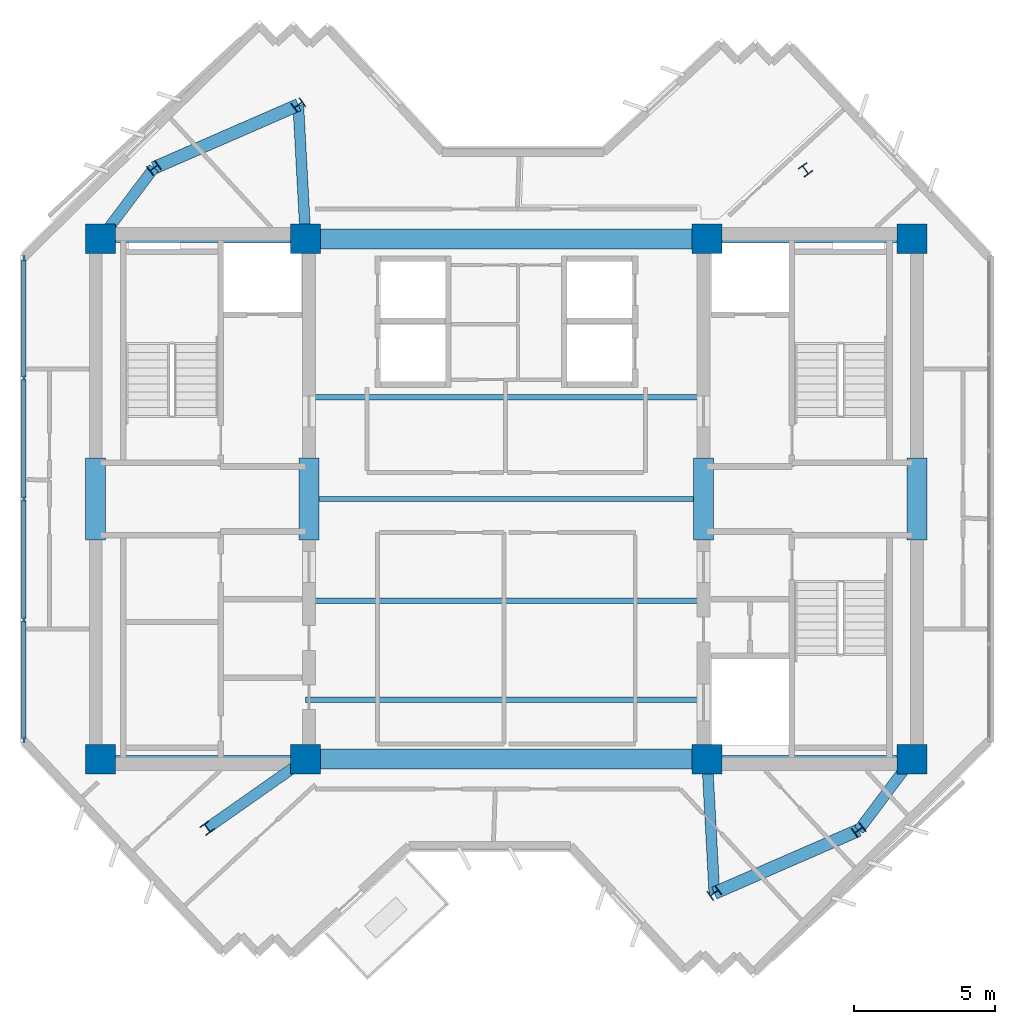
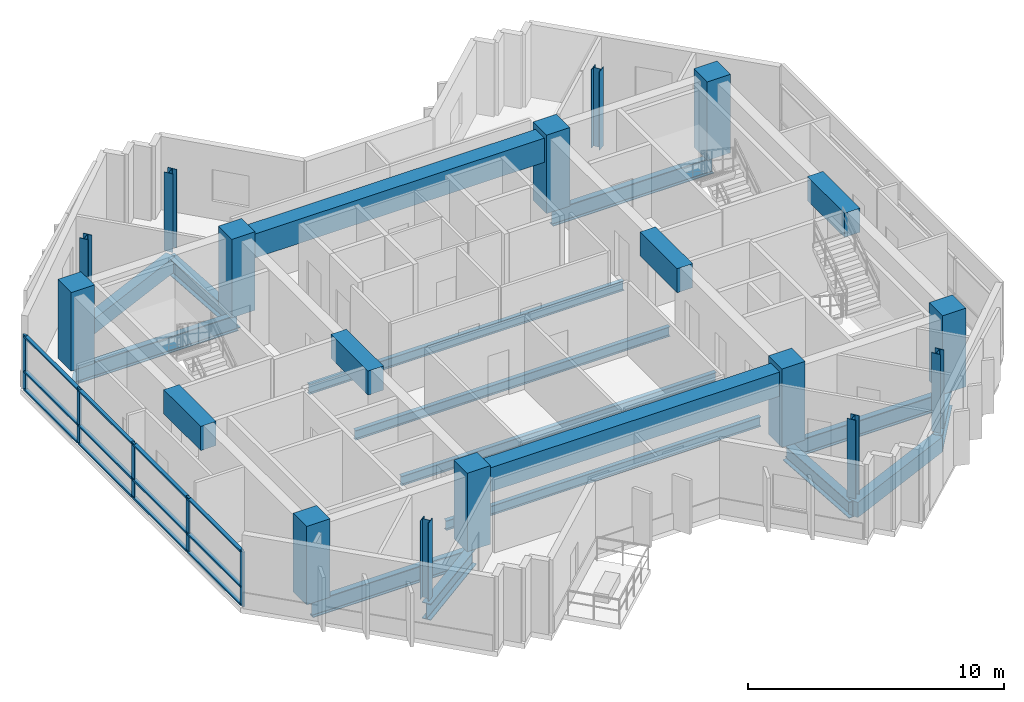
# One storey, part 1 of 9: 21 beams, 17 members, 14 columns, 1 element without a shape of its own.
"""IFC4 building model written with IfcOpenShell, lengths in metres."""

from ifc_helpers import new_model, si_unit, direction, frame, origin, origin_2d, place, context, subcontext, project, spatial, rectangle, i_section, extrude, source, transform, mapped, material, layer, layer_set, material_profile, profile_set, type_object, element, aggregate, save


model = new_model("IFC4")

# Units and contexts
model_context = context("Model", 3, precision=1e-05, world=origin(), true_north=direction((0.0, 1.0)))
body_context = subcontext(model_context, "Body", "Model", "MODEL_VIEW")
ifc_project = project(units=[si_unit("LENGTHUNIT", "METRE"), si_unit("AREAUNIT", "SQUARE_METRE"), si_unit("VOLUMEUNIT", "CUBIC_METRE"), si_unit("PLANEANGLEUNIT", "RADIAN"), si_unit("MASSUNIT", "GRAM", prefix="KILO")], contexts=[model_context])

# Site, building, storey
site_placement = place(None, origin())
site = spatial("IfcSite", under=ifc_project, at=site_placement, CompositionType="ELEMENT")
building_placement = place(site_placement, origin())
building = spatial("IfcBuilding", under=site, at=building_placement, Name="Zahravan Cultural Tower", CompositionType="ELEMENT")
storey_placement = place(building_placement, frame((0.0, 0.0, 299.10009765625)))
storey = spatial("IfcBuildingStorey", under=building, at=storey_placement, Name="L72", CompositionType="ELEMENT", Elevation=299.10009765625)

# Columns
ifc_material_1 = material(Name="Concrete C50/60", Category="concrete")
ifc_material_profile_1 = material_profile(ifc_material_1, rectangle(XDim=1.050048828125, YDim=1.050048828125, at=origin_2d()), Name="RC1050X1050")
ifc_profile_set_1 = profile_set([ifc_material_profile_1], Name="Concrete C50/60")
column_type_1 = type_object("IfcColumnType", Name="COL-RC1050", PredefinedType="COLUMN", material=ifc_profile_set_1)
shared_shape_1 = source(origin(), body_context, "Body", "SweptSolid", [
    extrude(rectangle(XDim=1.050048828125, YDim=1.050048828125, at=origin_2d()), origin(), (0.0, 0.0, 1.0), 3.75),
])
for number, where, z_axis, x_axis, name in (
    (1, (21.64990234375, 17.800048828125, 0.0), (0.0, 0.0, 1.0), (1.0, 0.0, 0.0), "L72 Column CC-W1"),
    (2, (28.89990234375, 17.800048828125, 0.0), (0.0, 0.0, 1.0), (1.0, 0.0, 0.0), "L72 Column CC-W2"),
    (3, (21.64990234375, 36.199951171875, 0.0), (0.0, 0.0, 1.0), (1.0, 0.0, 0.0), "L72 Column CC-W3"),
    (4, (28.89990234375, 36.199951171875, 0.0), (0.0, 0.0, 1.0), (1.0, 0.0, 0.0), "L72 Column CC-W4"),
    (5, (43.10009765625, 17.800048828125, 0.0), (0.0, 0.0, 1.0), (1.0, 0.0, 0.0), "L72 Column CC-E1"),
    (6, (50.35009765625, 17.800048828125, 0.0), (0.0, 0.0, 1.0), (1.0, 0.0, 0.0), "L72 Column CC-E2"),
    (7, (43.10009765625, 36.199951171875, 0.0), (0.0, 0.0, 1.0), (1.0, 0.0, 0.0), "L72 Column CC-E3"),
    (8, (50.35009765625, 36.199951171875, 0.0), (0.0, 0.0, 1.0), (1.0, 0.0, 0.0), "L72 Column CC-E4"),
):
    element("IfcColumn", number, at=place(storey_placement, frame(where, z_axis=z_axis, x_axis=x_axis)), inside=storey, type_object=column_type_1, Name=name, PredefinedType="COLUMN", context=body_context, shape_type="MappedRepresentation", body=[
        mapped(shared_shape_1, transform((0.0, 0.0, 0.0), x_axis=(1.0, 0.0, 0.0), y_axis=(0.0, 1.0, 0.0), z_axis=(0.0, 0.0, 1.0), scale=1.0)),
    ])
ifc_material_2 = material(Name="Steel ASTM A992 Grade 50", Category="steel")
ifc_material_profile_2 = material_profile(ifc_material_2, i_section(OverallWidth=0.3740234375, OverallDepth=0.3720703125, WebThickness=0.016357421875, FlangeThickness=0.026123046875, FilletRadius=0.01806640625, at=origin_2d()), Name="W14X132")
ifc_profile_set_2 = profile_set([ifc_material_profile_2], Name="Steel ASTM A992 Grade 50")
column_type_2 = type_object("IfcColumnType", Name="COL-W14X132", PredefinedType="COLUMN", material=ifc_profile_set_2)
shared_shape_2 = source(origin(), body_context, "Body", "SweptSolid", [
    extrude(i_section(OverallWidth=0.3740234375, OverallDepth=0.3720703125, WebThickness=0.016357421875, FlangeThickness=0.026123046875, FilletRadius=0.01806640625, at=origin_2d()), origin(), (0.0, 0.0, 1.0), 3.75),
])
for number, where, z_axis, x_axis, name in (
    (9, (46.577880859375, 38.640625, 0.0), (0.0, 0.0, 1.0), (0.809016994375, 0.587785252292, 0.0), "L72 Column Z3C-E2"),
    (10, (28.642578125, 40.937255859375, 0.0), (0.0, 0.0, 1.0), (-0.587785252292, 0.809016994375, 0.0), "L72 Column Z3C-N1"),
    (11, (23.536376953125, 38.710693359375, 0.0), (0.0, 0.0, 1.0), (-0.587785252292, 0.809016994375, 0.0), "L72 Column Z3C-N2"),
    (12, (25.422119140625, 15.359375, 0.0), (0.0, 0.0, 1.0), (0.809016994375, 0.587785252292, 0.0), "L72 Column Z3C-W2"),
    (13, (43.357421875, 13.062744140625, 0.0), (0.0, 0.0, 1.0), (-0.587785252292, 0.809016994375, 0.0), "L72 Column Z3C-S1"),
    (14, (48.463623046875, 15.289306640625, 0.0), (0.0, 0.0, 1.0), (-0.587785252292, 0.809016994375, 0.0), "L72 Column Z3C-S2"),
):
    element("IfcColumn", number, at=place(storey_placement, frame(where, z_axis=z_axis, x_axis=x_axis)), inside=storey, type_object=column_type_2, Name=name, PredefinedType="COLUMN", context=body_context, shape_type="MappedRepresentation", body=[
        mapped(shared_shape_2, transform((0.0, 0.0, 0.0), x_axis=(1.0, 0.0, 0.0), y_axis=(0.0, 1.0, 0.0), z_axis=(0.0, 0.0, 1.0), scale=1.0)),
    ])

# Beams
ifc_material_profile_3 = material_profile(ifc_material_1, rectangle(XDim=0.699951171875, YDim=1.14990234375, at=origin_2d()), Name="RC700X1150")
ifc_profile_set_3 = profile_set([ifc_material_profile_3], Name="Concrete C50/60")
beam_type_1 = type_object("IfcBeamType", Name="BM-LN-RC700X1150", PredefinedType="LINTEL", material=ifc_profile_set_3)
shared_shape_3 = source(origin(), body_context, "Body", "SweptSolid", [
    extrude(rectangle(XDim=0.699951171875, YDim=1.14990234375, at=origin_2d()), origin(), (0.0, 0.0, 1.0), 14.2001953125),
])
for number, where, z_axis, x_axis, name in (
    (15, (28.89990234375, 17.800048828125, 2.9248046875), (1.0, 0.0, 0.0), (0.0, 1.0, 0.0), "L72 Beam LN-L72-S"),
    (16, (28.89990234375, 36.199951171875, 2.9248046875), (1.0, 0.0, 0.0), (0.0, 1.0, 0.0), "L72 Beam LN-L72-N"),
):
    element("IfcBeam", number, at=place(storey_placement, frame(where, z_axis=z_axis, x_axis=x_axis)), inside=storey, type_object=beam_type_1, Name=name, PredefinedType="LINTEL", context=body_context, shape_type="MappedRepresentation", body=[
        mapped(shared_shape_3, transform((0.0, 0.0, 0.0), x_axis=(1.0, 0.0, 0.0), y_axis=(0.0, 1.0, 0.0), z_axis=(0.0, 0.0, 1.0), scale=1.0)),
    ])
shared_shape_4 = source(origin(), body_context, "Body", "SweptSolid", [
    extrude(rectangle(XDim=0.699951171875, YDim=1.14990234375, at=origin_2d()), origin(), (0.0, 0.0, 1.0), 2.89990234375),
])
for number, where, z_axis, x_axis, name in (
    (17, (21.47509765625, 25.550048828125, 2.9248046875), (0.0, 1.0, 0.0), (-1.0, 0.0, 0.0), "L72 Beam LN-L72-PWW"),
    (18, (29.02490234375, 25.550048828125, 2.9248046875), (0.0, 1.0, 0.0), (-1.0, 0.0, 0.0), "L72 Beam LN-L72-PWE"),
    (19, (42.97509765625, 25.550048828125, 2.9248046875), (0.0, 1.0, 0.0), (-1.0, 0.0, 0.0), "L72 Beam LN-L72-PEW"),
    (20, (50.52490234375, 25.550048828125, 2.9248046875), (0.0, 1.0, 0.0), (-1.0, 0.0, 0.0), "L72 Beam LN-L72-PEE"),
):
    element("IfcBeam", number, at=place(storey_placement, frame(where, z_axis=z_axis, x_axis=x_axis)), inside=storey, type_object=beam_type_1, Name=name, PredefinedType="LINTEL", context=body_context, shape_type="MappedRepresentation", body=[
        mapped(shared_shape_4, transform((0.0, 0.0, 0.0), x_axis=(1.0, 0.0, 0.0), y_axis=(0.0, 1.0, 0.0), z_axis=(0.0, 0.0, 1.0), scale=1.0)),
    ])
ifc_material_profile_4 = material_profile(ifc_material_2, i_section(OverallWidth=0.26611328125, OverallDepth=0.780029296875, WebThickness=0.0166015625, FlangeThickness=0.030029296875, FilletRadius=0.01904296875, at=origin_2d()), Name="W30X148")
ifc_profile_set_4 = profile_set([ifc_material_profile_4], Name="Steel ASTM A992 Grade 50")
beam_type_2 = type_object("IfcBeamType", Name="BM-G-W30X148", PredefinedType="BEAM", material=ifc_profile_set_4)
shared_shape_5 = source(origin(), body_context, "Body", "SweptSolid", [
    extrude(i_section(OverallWidth=0.26611328125, OverallDepth=0.780029296875, WebThickness=0.0166015625, FlangeThickness=0.030029296875, FilletRadius=0.01904296875, at=origin_2d()), origin(), (0.0, 0.0, 1.0), 7.25),
])
for number, where, z_axis, x_axis, name in (
    (21, (21.64990234375, 17.800048828125, -0.64013671875), (1.0, 0.0, 0.0), (0.0, 1.0, 0.0), "L72 Beam BG-L72-01"),
    (22, (21.64990234375, 36.199951171875, -0.64013671875), (1.0, 0.0, 0.0), (0.0, 1.0, 0.0), "L72 Beam BG-L72-02"),
    (23, (43.10009765625, 17.800048828125, -0.64013671875), (1.0, 0.0, 0.0), (0.0, 1.0, 0.0), "L72 Beam BG-L72-04"),
    (24, (43.10009765625, 36.199951171875, -0.64013671875), (1.0, 0.0, 0.0), (0.0, 1.0, 0.0), "L72 Beam BG-L72-05"),
):
    element("IfcBeam", number, at=place(storey_placement, frame(where, z_axis=z_axis, x_axis=x_axis)), inside=storey, type_object=beam_type_2, Name=name, PredefinedType="BEAM", context=body_context, shape_type="MappedRepresentation", body=[
        mapped(shared_shape_5, transform((0.0, 0.0, 0.0), x_axis=(1.0, 0.0, 0.0), y_axis=(0.0, 1.0, 0.0), z_axis=(0.0, 0.0, 1.0), scale=1.0)),
    ])
ifc_material_3 = material(Name="Concrete C45/55", Category="concrete")
ifc_material_profile_5 = material_profile(ifc_material_3, rectangle(XDim=0.449951171875, YDim=0.719970703125, at=origin_2d()), Name="RC450X720")
ifc_profile_set_5 = profile_set([ifc_material_profile_5], Name="Concrete C45/55")
beam_type_3 = type_object("IfcBeamType", Name="BM-SP-RC450X720", PredefinedType="SPANDREL", material=ifc_profile_set_5)
shared_shape_6 = source(origin(), body_context, "Body", "SweptSolid", [
    extrude(rectangle(XDim=0.449951171875, YDim=0.719970703125, at=origin_2d()), origin(), (0.0, 0.0, 1.0), 5.570556640625),
])
for number, where, z_axis, x_axis, name in (
    (25, (43.357421875, 13.062744140625, -0.610107421875), (0.9166445026, 0.399703459896, 0.0), (-0.399703459896, 0.9166445026, 0.0), "L72 Beam SP-L72-12"),
    (26, (28.642578125, 40.937255859375, -0.610107421875), (-0.9166445026, -0.399703459896, 0.0), (0.399703459896, -0.9166445026, 0.0), "L72 Beam SP-L72-13"),
):
    element("IfcBeam", number, at=place(storey_placement, frame(where, z_axis=z_axis, x_axis=x_axis)), inside=storey, type_object=beam_type_3, Name=name, PredefinedType="SPANDREL", context=body_context, shape_type="MappedRepresentation", body=[
        mapped(shared_shape_6, transform((0.0, 0.0, 0.0), x_axis=(1.0, 0.0, 0.0), y_axis=(0.0, 1.0, 0.0), z_axis=(0.0, 0.0, 1.0), scale=1.0)),
    ])
ifc_material_profile_6 = material_profile(ifc_material_2, i_section(OverallWidth=0.18994140625, OverallDepth=0.45703125, WebThickness=0.009033203125, FlangeThickness=0.014404296875, FilletRadius=0.012939453125, at=origin_2d()), Name="W18X50")
ifc_profile_set_6 = profile_set([ifc_material_profile_6], Name="Steel ASTM A992 Grade 50")
beam_type_4 = type_object("IfcBeamType", Name="BM-J-W18X50", PredefinedType="JOIST", material=ifc_profile_set_6)
shared_shape_7 = source(origin(), body_context, "Body", "SweptSolid", [
    extrude(i_section(OverallWidth=0.18994140625, OverallDepth=0.45703125, WebThickness=0.009033203125, FlangeThickness=0.014404296875, FilletRadius=0.012939453125, at=origin_2d()), origin(), (0.0, 0.0, 1.0), 14.2001953125),
])
for number, where, z_axis, x_axis, name in (
    (27, (28.89990234375, 19.89990234375, -0.478515625), (1.0, 0.0, 0.0), (0.0, 1.0, 0.0), "L72 Beam BJ-L72-14"),
    (28, (28.89990234375, 23.39990234375, -0.478515625), (1.0, 0.0, 0.0), (0.0, 1.0, 0.0), "L72 Beam BJ-L72-15"),
    (29, (28.89990234375, 27.0, -0.478515625), (1.0, 0.0, 0.0), (0.0, 1.0, 0.0), "L72 Beam BJ-L72-16"),
    (30, (28.89990234375, 30.60009765625, -0.478515625), (1.0, 0.0, 0.0), (0.0, 1.0, 0.0), "L72 Beam BJ-L72-17"),
):
    element("IfcBeam", number, at=place(storey_placement, frame(where, z_axis=z_axis, x_axis=x_axis)), inside=storey, type_object=beam_type_4, Name=name, PredefinedType="JOIST", context=body_context, shape_type="MappedRepresentation", body=[
        mapped(shared_shape_7, transform((0.0, 0.0, 0.0), x_axis=(1.0, 0.0, 0.0), y_axis=(0.0, 1.0, 0.0), z_axis=(0.0, 0.0, 1.0), scale=1.0)),
    ])
ifc_material_profile_7 = material_profile(ifc_material_2, i_section(OverallWidth=0.382080078125, OverallDepth=0.779052734375, WebThickness=0.01806640625, FlangeThickness=0.030029296875, FilletRadius=0.01904296875, at=origin_2d()), Name="W30X191")
ifc_profile_set_7 = profile_set([ifc_material_profile_7], Name="Steel ASTM A992 Grade 50")
beam_type_5 = type_object("IfcBeamType", Name="BM-G-W30X191", PredefinedType="BEAM", material=ifc_profile_set_7)
shared_shape_8 = source(origin(), body_context, "Body", "SweptSolid", [
    extrude(i_section(OverallWidth=0.382080078125, OverallDepth=0.779052734375, WebThickness=0.01806640625, FlangeThickness=0.030029296875, FilletRadius=0.01904296875, at=origin_2d()), origin(), (0.0, 0.0, 1.0), 4.248779296875),
])
beam_placement = place(storey_placement, frame((28.89990234375, 17.800048828125, -0.6396484375), z_axis=(-0.81854294596, -0.574445337365, 0.0), x_axis=(0.574445337365, -0.81854294596, 0.0)))
element("IfcBeam", 31, at=beam_placement, inside=storey, type_object=beam_type_5, Name="L72 Beam BG-L72-07", PredefinedType="BEAM", context=body_context, shape_type="MappedRepresentation", body=[
    mapped(shared_shape_8, transform((0.0, 0.0, 0.0), x_axis=(1.0, 0.0, 0.0), y_axis=(0.0, 1.0, 0.0), z_axis=(0.0, 0.0, 1.0), scale=1.0)),
])
shared_shape_9 = source(origin(), body_context, "Body", "SweptSolid", [
    extrude(i_section(OverallWidth=0.382080078125, OverallDepth=0.779052734375, WebThickness=0.01806640625, FlangeThickness=0.030029296875, FilletRadius=0.01904296875, at=origin_2d()), origin(), (0.0, 0.0, 1.0), 4.744384765625),
])
for number, where, z_axis, x_axis, name in (
    (32, (43.10009765625, 17.800048828125, -0.6396484375), (0.054238739845, -0.998527996152, 0.0), (0.998527996152, 0.054238739845, 0.0), "L72 Beam BG-L72-08"),
    (33, (28.89990234375, 36.199951171875, -0.6396484375), (-0.054238739845, 0.998527996152, 0.0), (-0.998527996152, -0.054238739845, 0.0), "L72 Beam BG-L72-10"),
):
    element("IfcBeam", number, at=place(storey_placement, frame(where, z_axis=z_axis, x_axis=x_axis)), inside=storey, type_object=beam_type_5, Name=name, PredefinedType="BEAM", context=body_context, shape_type="MappedRepresentation", body=[
        mapped(shared_shape_9, transform((0.0, 0.0, 0.0), x_axis=(1.0, 0.0, 0.0), y_axis=(0.0, 1.0, 0.0), z_axis=(0.0, 0.0, 1.0), scale=1.0)),
    ])
shared_shape_10 = source(origin(), body_context, "Body", "SweptSolid", [
    extrude(i_section(OverallWidth=0.382080078125, OverallDepth=0.779052734375, WebThickness=0.01806640625, FlangeThickness=0.030029296875, FilletRadius=0.01904296875, at=origin_2d()), origin(), (0.0, 0.0, 1.0), 3.140380859375),
])
for number, where, z_axis, x_axis, name in (
    (34, (50.35009765625, 17.800048828125, -0.6396484375), (-0.600696322208, -0.799477284534, 0.0), (0.799477284534, -0.600696322208, 0.0), "L72 Beam BG-L72-09"),
    (35, (21.64990234375, 36.199951171875, -0.6396484375), (0.600696322208, 0.799477284534, 0.0), (-0.799477284534, 0.600696322208, 0.0), "L72 Beam BG-L72-11"),
):
    element("IfcBeam", number, at=place(storey_placement, frame(where, z_axis=z_axis, x_axis=x_axis)), inside=storey, type_object=beam_type_5, Name=name, PredefinedType="BEAM", context=body_context, shape_type="MappedRepresentation", body=[
        mapped(shared_shape_10, transform((0.0, 0.0, 0.0), x_axis=(1.0, 0.0, 0.0), y_axis=(0.0, 1.0, 0.0), z_axis=(0.0, 0.0, 1.0), scale=1.0)),
    ])

# Curtain wall, members
ifc_material_4 = material(Name="Anodised bronze-aluminium mullion", Category="aluminium")
ifc_layer = layer(ifc_material_4, 0.219970703125)
ifc_layer_set = layer_set([ifc_layer], Name="Anodised bronze-aluminium mullion")
curtain_wall_type = type_object("IfcCurtainWallType", Name="CW-SYS-1", PredefinedType="USERDEFINED", material=ifc_layer_set)
curtain_wall_placement = place(storey_placement, origin())
curtain_wall = element("IfcCurtainWall", 36, at=curtain_wall_placement, inside=storey, type_object=curtain_wall_type, Name="L72 Recessed Curtain Wall CW-1.2", ObjectType="RECESSED GLAZING", PredefinedType="USERDEFINED")
ifc_material_profile_8 = material_profile(ifc_material_4, rectangle(XDim=0.080078125, YDim=0.219970703125, at=origin_2d()), Name="AL-M80X220")
ifc_profile_set_8 = profile_set([ifc_material_profile_8], Name="Anodised bronze-aluminium mullion")
member_type_1 = type_object("IfcMemberType", Name="CWM-CW-1", PredefinedType="MULLION", material=ifc_profile_set_8)
shared_shape_11 = source(origin(), body_context, "Body", "SweptSolid", [
    extrude(rectangle(XDim=0.080078125, YDim=0.219970703125, at=origin_2d()), origin(), (0.0, 0.0, 1.0), 2.619873046875),
])
member_1_placement = place(storey_placement, frame((18.93994140625, 18.498046875, 0.0), z_axis=(0.0, 0.0, 1.0), x_axis=(-1.0, 0.0, 0.0)))
member_1 = element("IfcMember", 37, at=member_1_placement, type_object=member_type_1, Name="CW-1 mullion 1", PredefinedType="MULLION", context=body_context, shape_type="MappedRepresentation", body=[
    mapped(shared_shape_11, transform((0.0, 0.0, 0.0), x_axis=(1.0, 0.0, 0.0), y_axis=(0.0, 1.0, 0.0), z_axis=(0.0, 0.0, 1.0), scale=1.0)),
])
member_2_placement = place(storey_placement, frame((18.93994140625, 22.72900390625, 0.0), z_axis=(0.0, 0.0, 1.0), x_axis=(-1.0, 0.0, 0.0)))
member_2 = element("IfcMember", 38, at=member_2_placement, type_object=member_type_1, Name="CW-1 mullion 2", PredefinedType="MULLION", context=body_context, shape_type="MappedRepresentation", body=[
    mapped(shared_shape_11, transform((0.0, 0.0, 0.0), x_axis=(1.0, 0.0, 0.0), y_axis=(0.0, 1.0, 0.0), z_axis=(0.0, 0.0, 1.0), scale=1.0)),
])
member_3_placement = place(storey_placement, frame((18.93994140625, 27.0, 0.0), z_axis=(0.0, 0.0, 1.0), x_axis=(-1.0, 0.0, 0.0)))
member_3 = element("IfcMember", 39, at=member_3_placement, type_object=member_type_1, Name="CW-1 mullion 3", PredefinedType="MULLION", context=body_context, shape_type="MappedRepresentation", body=[
    mapped(shared_shape_11, transform((0.0, 0.0, 0.0), x_axis=(1.0, 0.0, 0.0), y_axis=(0.0, 1.0, 0.0), z_axis=(0.0, 0.0, 1.0), scale=1.0)),
])
member_4_placement = place(storey_placement, frame((18.93994140625, 31.27099609375, 0.0), z_axis=(0.0, 0.0, 1.0), x_axis=(-1.0, 0.0, 0.0)))
member_4 = element("IfcMember", 40, at=member_4_placement, type_object=member_type_1, Name="CW-1 mullion 4", PredefinedType="MULLION", context=body_context, shape_type="MappedRepresentation", body=[
    mapped(shared_shape_11, transform((0.0, 0.0, 0.0), x_axis=(1.0, 0.0, 0.0), y_axis=(0.0, 1.0, 0.0), z_axis=(0.0, 0.0, 1.0), scale=1.0)),
])
member_5_placement = place(storey_placement, frame((18.93994140625, 35.501953125, 0.0), z_axis=(0.0, 0.0, 1.0), x_axis=(-1.0, 0.0, 0.0)))
member_5 = element("IfcMember", 41, at=member_5_placement, type_object=member_type_1, Name="CW-1 mullion 5", PredefinedType="MULLION", context=body_context, shape_type="MappedRepresentation", body=[
    mapped(shared_shape_11, transform((0.0, 0.0, 0.0), x_axis=(1.0, 0.0, 0.0), y_axis=(0.0, 1.0, 0.0), z_axis=(0.0, 0.0, 1.0), scale=1.0)),
])
ifc_material_profile_9 = material_profile(ifc_material_4, rectangle(XDim=0.159912109375, YDim=0.080078125, at=origin_2d()), Name="AL-T80X160")
ifc_profile_set_9 = profile_set([ifc_material_profile_9], Name="Anodised bronze-aluminium mullion")
member_type_2 = type_object("IfcMemberType", Name="CWT-CW-1", PredefinedType="USERDEFINED", material=ifc_profile_set_9)
shared_shape_12 = source(origin(), body_context, "Body", "SweptSolid", [
    extrude(rectangle(XDim=0.159912109375, YDim=0.080078125, at=origin_2d()), origin(), (0.0, 0.0, 1.0), 4.15087890625),
])
member_6_placement = place(storey_placement, frame((18.93994140625, 18.5380859375, 0.039794921875), z_axis=(0.0, 1.0, 0.0), x_axis=(-1.0, 0.0, 0.0)))
member_6 = element("IfcMember", 42, at=member_6_placement, type_object=member_type_2, Name="CW-1 transom 1.1", ObjectType="TRANSOM", PredefinedType="USERDEFINED", context=body_context, shape_type="MappedRepresentation", body=[
    mapped(shared_shape_12, transform((0.0, 0.0, 0.0), x_axis=(1.0, 0.0, 0.0), y_axis=(0.0, 1.0, 0.0), z_axis=(0.0, 0.0, 1.0), scale=1.0)),
])
member_7_placement = place(storey_placement, frame((18.93994140625, 18.5380859375, 0.89990234375), z_axis=(0.0, 1.0, 0.0), x_axis=(-1.0, 0.0, 0.0)))
member_7 = element("IfcMember", 43, at=member_7_placement, type_object=member_type_2, Name="CW-1 transom 1.2", ObjectType="TRANSOM", PredefinedType="USERDEFINED", context=body_context, shape_type="MappedRepresentation", body=[
    mapped(shared_shape_12, transform((0.0, 0.0, 0.0), x_axis=(1.0, 0.0, 0.0), y_axis=(0.0, 1.0, 0.0), z_axis=(0.0, 0.0, 1.0), scale=1.0)),
])
member_8_placement = place(storey_placement, frame((18.93994140625, 18.5380859375, 2.579833984375), z_axis=(0.0, 1.0, 0.0), x_axis=(-1.0, 0.0, 0.0)))
member_8 = element("IfcMember", 44, at=member_8_placement, type_object=member_type_2, Name="CW-1 transom 1.3", ObjectType="TRANSOM", PredefinedType="USERDEFINED", context=body_context, shape_type="MappedRepresentation", body=[
    mapped(shared_shape_12, transform((0.0, 0.0, 0.0), x_axis=(1.0, 0.0, 0.0), y_axis=(0.0, 1.0, 0.0), z_axis=(0.0, 0.0, 1.0), scale=1.0)),
])
member_9_placement = place(storey_placement, frame((18.93994140625, 31.31103515625, 0.039794921875), z_axis=(0.0, 1.0, 0.0), x_axis=(-1.0, 0.0, 0.0)))
member_9 = element("IfcMember", 45, at=member_9_placement, type_object=member_type_2, Name="CW-1 transom 4.1", ObjectType="TRANSOM", PredefinedType="USERDEFINED", context=body_context, shape_type="MappedRepresentation", body=[
    mapped(shared_shape_12, transform((0.0, 0.0, 0.0), x_axis=(1.0, 0.0, 0.0), y_axis=(0.0, 1.0, 0.0), z_axis=(0.0, 0.0, 1.0), scale=1.0)),
])
member_10_placement = place(storey_placement, frame((18.93994140625, 31.31103515625, 0.89990234375), z_axis=(0.0, 1.0, 0.0), x_axis=(-1.0, 0.0, 0.0)))
member_10 = element("IfcMember", 46, at=member_10_placement, type_object=member_type_2, Name="CW-1 transom 4.2", ObjectType="TRANSOM", PredefinedType="USERDEFINED", context=body_context, shape_type="MappedRepresentation", body=[
    mapped(shared_shape_12, transform((0.0, 0.0, 0.0), x_axis=(1.0, 0.0, 0.0), y_axis=(0.0, 1.0, 0.0), z_axis=(0.0, 0.0, 1.0), scale=1.0)),
])
member_11_placement = place(storey_placement, frame((18.93994140625, 31.31103515625, 2.579833984375), z_axis=(0.0, 1.0, 0.0), x_axis=(-1.0, 0.0, 0.0)))
member_11 = element("IfcMember", 47, at=member_11_placement, type_object=member_type_2, Name="CW-1 transom 4.3", ObjectType="TRANSOM", PredefinedType="USERDEFINED", context=body_context, shape_type="MappedRepresentation", body=[
    mapped(shared_shape_12, transform((0.0, 0.0, 0.0), x_axis=(1.0, 0.0, 0.0), y_axis=(0.0, 1.0, 0.0), z_axis=(0.0, 0.0, 1.0), scale=1.0)),
])
shared_shape_13 = source(origin(), body_context, "Body", "SweptSolid", [
    extrude(rectangle(XDim=0.159912109375, YDim=0.080078125, at=origin_2d()), origin(), (0.0, 0.0, 1.0), 4.19091796875),
])
member_12_placement = place(storey_placement, frame((18.93994140625, 22.76904296875, 0.039794921875), z_axis=(0.0, 1.0, 0.0), x_axis=(-1.0, 0.0, 0.0)))
member_12 = element("IfcMember", 48, at=member_12_placement, type_object=member_type_2, Name="CW-1 transom 2.1", ObjectType="TRANSOM", PredefinedType="USERDEFINED", context=body_context, shape_type="MappedRepresentation", body=[
    mapped(shared_shape_13, transform((0.0, 0.0, 0.0), x_axis=(1.0, 0.0, 0.0), y_axis=(0.0, 1.0, 0.0), z_axis=(0.0, 0.0, 1.0), scale=1.0)),
])
member_13_placement = place(storey_placement, frame((18.93994140625, 22.76904296875, 0.89990234375), z_axis=(0.0, 1.0, 0.0), x_axis=(-1.0, 0.0, 0.0)))
member_13 = element("IfcMember", 49, at=member_13_placement, type_object=member_type_2, Name="CW-1 transom 2.2", ObjectType="TRANSOM", PredefinedType="USERDEFINED", context=body_context, shape_type="MappedRepresentation", body=[
    mapped(shared_shape_13, transform((0.0, 0.0, 0.0), x_axis=(1.0, 0.0, 0.0), y_axis=(0.0, 1.0, 0.0), z_axis=(0.0, 0.0, 1.0), scale=1.0)),
])
member_14_placement = place(storey_placement, frame((18.93994140625, 22.76904296875, 2.579833984375), z_axis=(0.0, 1.0, 0.0), x_axis=(-1.0, 0.0, 0.0)))
member_14 = element("IfcMember", 50, at=member_14_placement, type_object=member_type_2, Name="CW-1 transom 2.3", ObjectType="TRANSOM", PredefinedType="USERDEFINED", context=body_context, shape_type="MappedRepresentation", body=[
    mapped(shared_shape_13, transform((0.0, 0.0, 0.0), x_axis=(1.0, 0.0, 0.0), y_axis=(0.0, 1.0, 0.0), z_axis=(0.0, 0.0, 1.0), scale=1.0)),
])
member_15_placement = place(storey_placement, frame((18.93994140625, 27.0400390625, 0.039794921875), z_axis=(0.0, 1.0, 0.0), x_axis=(-1.0, 0.0, 0.0)))
member_15 = element("IfcMember", 51, at=member_15_placement, type_object=member_type_2, Name="CW-1 transom 3.1", ObjectType="TRANSOM", PredefinedType="USERDEFINED", context=body_context, shape_type="MappedRepresentation", body=[
    mapped(shared_shape_13, transform((0.0, 0.0, 0.0), x_axis=(1.0, 0.0, 0.0), y_axis=(0.0, 1.0, 0.0), z_axis=(0.0, 0.0, 1.0), scale=1.0)),
])
member_16_placement = place(storey_placement, frame((18.93994140625, 27.0400390625, 0.89990234375), z_axis=(0.0, 1.0, 0.0), x_axis=(-1.0, 0.0, 0.0)))
member_16 = element("IfcMember", 52, at=member_16_placement, type_object=member_type_2, Name="CW-1 transom 3.2", ObjectType="TRANSOM", PredefinedType="USERDEFINED", context=body_context, shape_type="MappedRepresentation", body=[
    mapped(shared_shape_13, transform((0.0, 0.0, 0.0), x_axis=(1.0, 0.0, 0.0), y_axis=(0.0, 1.0, 0.0), z_axis=(0.0, 0.0, 1.0), scale=1.0)),
])
member_17_placement = place(storey_placement, frame((18.93994140625, 27.0400390625, 2.579833984375), z_axis=(0.0, 1.0, 0.0), x_axis=(-1.0, 0.0, 0.0)))
member_17 = element("IfcMember", 53, at=member_17_placement, type_object=member_type_2, Name="CW-1 transom 3.3", ObjectType="TRANSOM", PredefinedType="USERDEFINED", context=body_context, shape_type="MappedRepresentation", body=[
    mapped(shared_shape_13, transform((0.0, 0.0, 0.0), x_axis=(1.0, 0.0, 0.0), y_axis=(0.0, 1.0, 0.0), z_axis=(0.0, 0.0, 1.0), scale=1.0)),
])
aggregate(curtain_wall, [member_1, member_2, member_3, member_4, member_5, member_6, member_7, member_8, member_12, member_13, member_14, member_15, member_16, member_17, member_9, member_10, member_11])

save(model, "model.ifc")
